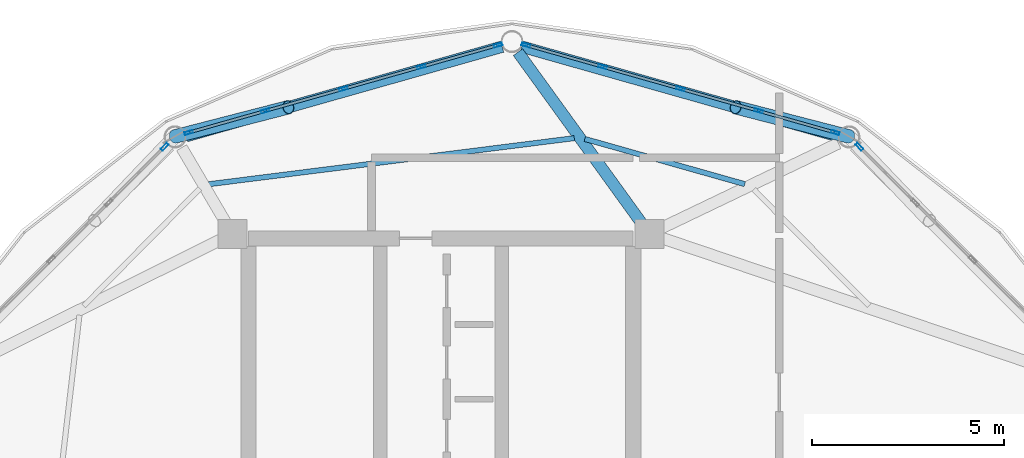
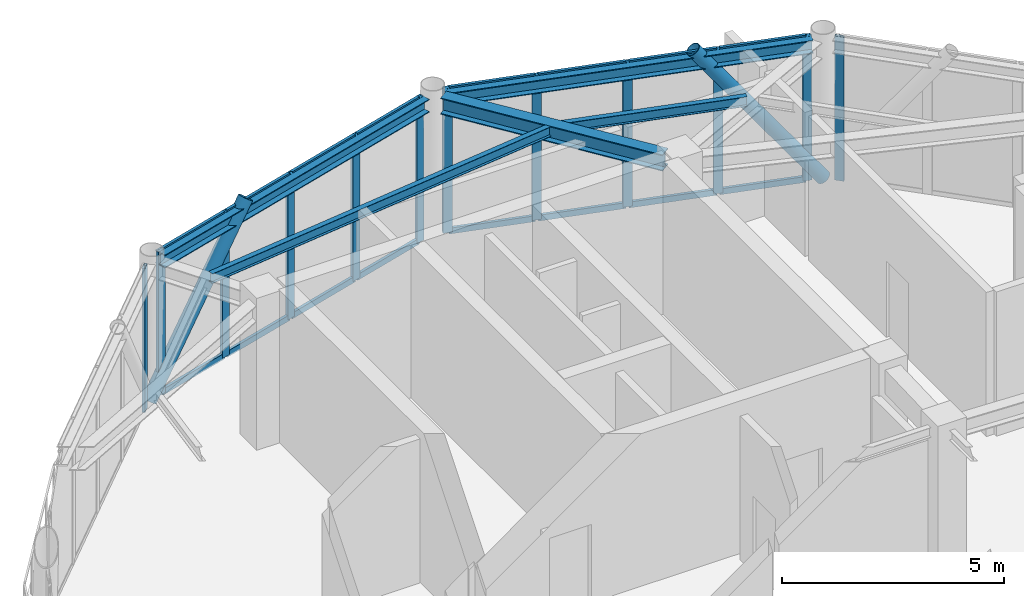
# One storey, part 15 of 21: 30 members, 5 beams, 4 elements without a shape of their own.
"""IFC4 building model written with IfcOpenShell, lengths in metres."""

from ifc_helpers import new_model, si_unit, direction, frame, origin, origin_2d, place, context, subcontext, project, spatial, hollow_rectangle, hollow_circle, i_section, extrude, material, layer, layer_set, material_profile, profile_set, type_object, element, aggregate, save


model = new_model("IFC4")

# Units and contexts
model_context = context("Model", 3, precision=1e-05, world=origin(), true_north=direction((0.0, 1.0)))
body_context = subcontext(model_context, "Body", "Model", "MODEL_VIEW")
ifc_project = project(units=[si_unit("LENGTHUNIT", "METRE"), si_unit("AREAUNIT", "SQUARE_METRE"), si_unit("VOLUMEUNIT", "CUBIC_METRE"), si_unit("PLANEANGLEUNIT", "RADIAN"), si_unit("MASSUNIT", "GRAM", prefix="KILO")], contexts=[model_context])

# Site, building, storey
site_placement = place(None, origin())
site = spatial("IfcSite", under=ifc_project, at=site_placement, CompositionType="ELEMENT")
building_placement = place(site_placement, origin())
building = spatial("IfcBuilding", under=site, at=building_placement, Name="Varnakorn Sky Granary", CompositionType="ELEMENT")
storey_placement = place(building_placement, frame((0.0, 0.0, 294.0)))
storey = spatial("IfcBuildingStorey", under=building, at=storey_placement, Name="L75", CompositionType="ELEMENT", Elevation=294.0)

# Beams
ifc_material_1 = material(Name="Steel S355JR", Category="steel")
ifc_material_profile_1 = material_profile(ifc_material_1, i_section(OverallWidth=0.300048828125, OverallDepth=0.449951171875, WebThickness=0.013916015625, FlangeThickness=0.02587890625, at=origin_2d()), Name="HE 450 B")
ifc_profile_set_1 = profile_set([ifc_material_profile_1], Name="Steel S355JR")
beam_type_1 = type_object("IfcBeamType", Name="BM-RAD-Z5", PredefinedType="BEAM", material=ifc_profile_set_1)
beam_1_placement = place(storey_placement, frame((8.2119140625, 12.90771484375, 3.735107421875), z_axis=(-0.585962768091, 0.810337975422, 0.0), x_axis=(-0.810337975422, -0.585962768091, 0.0)))
element("IfcBeam", 1, at=beam_1_placement, inside=storey, type_object=beam_type_1, Name="Radial Floor Girder RG04 L75", PredefinedType="BEAM", context=body_context, shape_type="SweptSolid", body=[
    extrude(i_section(OverallWidth=0.300048828125, OverallDepth=0.449951171875, WebThickness=0.013916015625, FlangeThickness=0.02587890625, at=origin_2d()), origin(), (0.0, 0.0, 1.0), 5.47314453125),
])
ifc_material_profile_2 = material_profile(ifc_material_1, i_section(OverallWidth=0.135009765625, OverallDepth=0.27001953125, WebThickness=0.006591796875, FlangeThickness=0.01025390625, at=origin_2d()), Name="IPE 270")
ifc_profile_set_2 = profile_set([ifc_material_profile_2], Name="Steel S355JR")
beam_type_2 = type_object("IfcBeamType", Name="BM-SEC-Z5", PredefinedType="BEAM", material=ifc_profile_set_2)
beam_2_placement = place(storey_placement, frame((10.902099609375, 13.91162109375, 3.824951171875), z_axis=(-0.962298153833, 0.271996807203, 0.0), x_axis=(-0.271996807203, -0.962298153833, 0.0)))
element("IfcBeam", 2, at=beam_2_placement, inside=storey, type_object=beam_type_2, Name="Secondary Floor Chord Beam MSB03 L75", PredefinedType="BEAM", context=body_context, shape_type="SweptSolid", body=[
    extrude(i_section(OverallWidth=0.135009765625, OverallDepth=0.27001953125, WebThickness=0.006591796875, FlangeThickness=0.01025390625, at=origin_2d()), origin(), (0.0, 0.0, 1.0), 4.32177734375),
])
beam_3_placement = place(storey_placement, frame((6.469482421875, 15.107666015625, 3.824951171875), z_axis=(-0.992151045947, -0.125045199931, 0.0), x_axis=(0.125045199931, -0.992151045947, 0.0)))
element("IfcBeam", 3, at=beam_3_placement, inside=storey, type_object=beam_type_2, Name="Secondary Floor Chord Beam MSB04 L75", PredefinedType="BEAM", context=body_context, shape_type="SweptSolid", body=[
    extrude(i_section(OverallWidth=0.135009765625, OverallDepth=0.27001953125, WebThickness=0.006591796875, FlangeThickness=0.01025390625, at=origin_2d()), origin(), (0.0, 0.0, 1.0), 9.57470703125),
])
ifc_material_profile_3 = material_profile(ifc_material_1, i_section(OverallWidth=0.300048828125, OverallDepth=0.360107421875, WebThickness=0.012451171875, FlangeThickness=0.0224609375, at=origin_2d()), Name="HE 360 B")
ifc_profile_set_3 = profile_set([ifc_material_profile_3], Name="Steel S355JR")
beam_type_3 = type_object("IfcBeamType", Name="BM-SPD-Z5", PredefinedType="SPANDREL", material=ifc_profile_set_3)
for number, where, z_axis, x_axis, name in (
    (4, (13.3173828125, 15.159912109375, 3.780029296875), (-0.962181719653, 0.272408403626, 0.0), (-0.272408403626, -0.962181719653, 0.0), "Perimeter Spandrel Ring Beam RB03 L75"),
    (5, (4.595458984375, 17.485107421875, 3.780029296875), (-0.962181719653, -0.272408403626, 0.0), (0.272408403626, -0.962181719653, 0.0), "Perimeter Spandrel Ring Beam RB04 L75"),
):
    element("IfcBeam", number, at=place(storey_placement, frame(where, z_axis=z_axis, x_axis=x_axis)), inside=storey, type_object=beam_type_3, Name=name, PredefinedType="SPANDREL", context=body_context, shape_type="SweptSolid", body=[
        extrude(i_section(OverallWidth=0.300048828125, OverallDepth=0.360107421875, WebThickness=0.012451171875, FlangeThickness=0.0224609375, at=origin_2d()), origin(), (0.0, 0.0, 1.0), 8.53564453125),
    ])

# Curtain wall, member
ifc_material_2 = material(Name="Anodised Bronze Aluminium Alloy 6063-T6", Category="aluminium")
ifc_layer = layer(ifc_material_2, 0.22998046875, Name="Anodised Bronze Aluminium Alloy 6063-T6")
ifc_layer_set = layer_set([ifc_layer], Name="Anodised Bronze Aluminium Alloy 6063-T6")
curtain_wall_type = type_object("IfcCurtainWallType", Name="CW-LNT-1", PredefinedType="USERDEFINED", material=ifc_layer_set)
curtain_wall_1_placement = place(storey_placement, origin())
curtain_wall_1 = element("IfcCurtainWall", 6, at=curtain_wall_1_placement, inside=storey, type_object=curtain_wall_type, Name="Unitised Curtain Wall CW7 CW-L75-B02", ObjectType="CURTAIN WALL", PredefinedType="USERDEFINED")
ifc_material_profile_4 = material_profile(ifc_material_2, hollow_rectangle(XDim=0.074951171875, YDim=0.219970703125, WallThickness=0.00390625, at=origin_2d()), Name="ALU MULL 75x220")
ifc_profile_set_4 = profile_set([ifc_material_profile_4], Name="Anodised Bronze Aluminium Alloy 6063-T6")
member_type_1 = type_object("IfcMemberType", Name="CW-LNT-1-MULL", PredefinedType="MULLION", material=ifc_profile_set_4)
member_1_placement = place(storey_placement, frame((13.88134765625, 14.8837890625, 0.0), z_axis=(0.0, 0.0, 1.0), x_axis=(0.706396880071, 0.70781597031, 0.0)))
member_1 = element("IfcMember", 7, at=member_1_placement, type_object=member_type_1, Name="CW7 mullion 1", PredefinedType="MULLION", context=body_context, shape_type="SweptSolid", body=[
    extrude(hollow_rectangle(XDim=0.074951171875, YDim=0.219970703125, WallThickness=0.00390625, at=origin_2d()), origin(), (0.0, 0.0, 1.0), 3.9599609375),
])
aggregate(curtain_wall_1, [member_1])

# Curtain wall, members
curtain_wall_2_placement = place(storey_placement, origin())
curtain_wall_2 = element("IfcCurtainWall", 8, at=curtain_wall_2_placement, inside=storey, type_object=curtain_wall_type, Name="Unitised Curtain Wall CW7 CW-L75-B03", ObjectType="CURTAIN WALL", PredefinedType="USERDEFINED")
member_2_placement = place(storey_placement, frame((5.212890625, 17.5263671875, 0.0), z_axis=(0.0, 0.0, 1.0), x_axis=(0.272147344542, 0.962255591233, 0.0)))
member_2 = element("IfcMember", 9, at=member_2_placement, type_object=member_type_1, Name="CW7 mullion 1", PredefinedType="MULLION", context=body_context, shape_type="SweptSolid", body=[
    extrude(hollow_rectangle(XDim=0.074951171875, YDim=0.219970703125, WallThickness=0.00390625, at=origin_2d()), origin(), (0.0, 0.0, 1.0), 3.9599609375),
])
member_3_placement = place(storey_placement, frame((7.20458984375, 16.963134765625, 0.0), z_axis=(0.0, 0.0, 1.0), x_axis=(0.272147344542, 0.962255591233, 0.0)))
member_3 = element("IfcMember", 10, at=member_3_placement, type_object=member_type_1, Name="CW7 mullion 2", PredefinedType="MULLION", context=body_context, shape_type="SweptSolid", body=[
    extrude(hollow_rectangle(XDim=0.074951171875, YDim=0.219970703125, WallThickness=0.00390625, at=origin_2d()), origin(), (0.0, 0.0, 1.0), 3.9599609375),
])
member_4_placement = place(storey_placement, frame((9.232177734375, 16.3896484375, 0.0), z_axis=(0.0, 0.0, 1.0), x_axis=(0.272147344542, 0.962255591233, 0.0)))
member_4 = element("IfcMember", 11, at=member_4_placement, type_object=member_type_1, Name="CW7 mullion 3", PredefinedType="MULLION", context=body_context, shape_type="SweptSolid", body=[
    extrude(hollow_rectangle(XDim=0.074951171875, YDim=0.219970703125, WallThickness=0.00390625, at=origin_2d()), origin(), (0.0, 0.0, 1.0), 3.9599609375),
])
member_5_placement = place(storey_placement, frame((11.260009765625, 15.816162109375, 0.0), z_axis=(0.0, 0.0, 1.0), x_axis=(0.272147344542, 0.962255591233, 0.0)))
member_5 = element("IfcMember", 12, at=member_5_placement, type_object=member_type_1, Name="CW7 mullion 4", PredefinedType="MULLION", context=body_context, shape_type="SweptSolid", body=[
    extrude(hollow_rectangle(XDim=0.074951171875, YDim=0.219970703125, WallThickness=0.00390625, at=origin_2d()), origin(), (0.0, 0.0, 1.0), 3.9599609375),
])
member_6_placement = place(storey_placement, frame((13.251708984375, 15.252685546875, 0.0), z_axis=(0.0, 0.0, 1.0), x_axis=(0.272147344542, 0.962255591233, 0.0)))
member_6 = element("IfcMember", 13, at=member_6_placement, type_object=member_type_1, Name="CW7 mullion 5", PredefinedType="MULLION", context=body_context, shape_type="SweptSolid", body=[
    extrude(hollow_rectangle(XDim=0.074951171875, YDim=0.219970703125, WallThickness=0.00390625, at=origin_2d()), origin(), (0.0, 0.0, 1.0), 3.9599609375),
])

curtain_wall_3_placement = place(storey_placement, origin())
curtain_wall_3 = element("IfcCurtainWall", 14, at=curtain_wall_3_placement, inside=storey, type_object=curtain_wall_type, Name="Unitised Curtain Wall CW7 CW-L75-B04", ObjectType="CURTAIN WALL", PredefinedType="USERDEFINED")
member_7_placement = place(storey_placement, frame((-3.5517578125, 15.252685546875, 0.0), z_axis=(0.0, 0.0, 1.0), x_axis=(-0.272147344542, 0.962255591233, 0.0)))
member_7 = element("IfcMember", 15, at=member_7_placement, type_object=member_type_1, Name="CW7 mullion 1", PredefinedType="MULLION", context=body_context, shape_type="SweptSolid", body=[
    extrude(hollow_rectangle(XDim=0.074951171875, YDim=0.219970703125, WallThickness=0.00390625, at=origin_2d()), origin(), (0.0, 0.0, 1.0), 3.9599609375),
])
member_8_placement = place(storey_placement, frame((-1.56005859375, 15.816162109375, 0.0), z_axis=(0.0, 0.0, 1.0), x_axis=(-0.272147344542, 0.962255591233, 0.0)))
member_8 = element("IfcMember", 16, at=member_8_placement, type_object=member_type_1, Name="CW7 mullion 2", PredefinedType="MULLION", context=body_context, shape_type="SweptSolid", body=[
    extrude(hollow_rectangle(XDim=0.074951171875, YDim=0.219970703125, WallThickness=0.00390625, at=origin_2d()), origin(), (0.0, 0.0, 1.0), 3.9599609375),
])
member_9_placement = place(storey_placement, frame((0.4677734375, 16.3896484375, 0.0), z_axis=(0.0, 0.0, 1.0), x_axis=(-0.272147344542, 0.962255591233, 0.0)))
member_9 = element("IfcMember", 17, at=member_9_placement, type_object=member_type_1, Name="CW7 mullion 3", PredefinedType="MULLION", context=body_context, shape_type="SweptSolid", body=[
    extrude(hollow_rectangle(XDim=0.074951171875, YDim=0.219970703125, WallThickness=0.00390625, at=origin_2d()), origin(), (0.0, 0.0, 1.0), 3.9599609375),
])
member_10_placement = place(storey_placement, frame((2.49560546875, 16.963134765625, 0.0), z_axis=(0.0, 0.0, 1.0), x_axis=(-0.272147344542, 0.962255591233, 0.0)))
member_10 = element("IfcMember", 18, at=member_10_placement, type_object=member_type_1, Name="CW7 mullion 4", PredefinedType="MULLION", context=body_context, shape_type="SweptSolid", body=[
    extrude(hollow_rectangle(XDim=0.074951171875, YDim=0.219970703125, WallThickness=0.00390625, at=origin_2d()), origin(), (0.0, 0.0, 1.0), 3.9599609375),
])
member_11_placement = place(storey_placement, frame((4.4873046875, 17.5263671875, 0.0), z_axis=(0.0, 0.0, 1.0), x_axis=(-0.272147344542, 0.962255591233, 0.0)))
member_11 = element("IfcMember", 19, at=member_11_placement, type_object=member_type_1, Name="CW7 mullion 5", PredefinedType="MULLION", context=body_context, shape_type="SweptSolid", body=[
    extrude(hollow_rectangle(XDim=0.074951171875, YDim=0.219970703125, WallThickness=0.00390625, at=origin_2d()), origin(), (0.0, 0.0, 1.0), 3.9599609375),
])

# Curtain wall, member
curtain_wall_4_placement = place(storey_placement, origin())
curtain_wall_4 = element("IfcCurtainWall", 20, at=curtain_wall_4_placement, inside=storey, type_object=curtain_wall_type, Name="Unitised Curtain Wall CW7 CW-L75-B05", ObjectType="CURTAIN WALL", PredefinedType="USERDEFINED")
member_12_placement = place(storey_placement, frame((-4.181396484375, 14.8837890625, 0.0), z_axis=(0.0, 0.0, 1.0), x_axis=(-0.706396880071, 0.70781597031, 0.0)))
member_12 = element("IfcMember", 21, at=member_12_placement, type_object=member_type_1, Name="CW7 mullion 5", PredefinedType="MULLION", context=body_context, shape_type="SweptSolid", body=[
    extrude(hollow_rectangle(XDim=0.074951171875, YDim=0.219970703125, WallThickness=0.00390625, at=origin_2d()), origin(), (0.0, 0.0, 1.0), 3.9599609375),
])
aggregate(curtain_wall_4, [member_12])

# Member
ifc_material_profile_5 = material_profile(ifc_material_2, hollow_rectangle(XDim=0.074951171875, YDim=0.159912109375, WallThickness=0.00390625, at=origin_2d()), Name="ALU TRAN 75x160")
ifc_profile_set_5 = profile_set([ifc_material_profile_5], Name="Anodised Bronze Aluminium Alloy 6063-T6")
member_type_2 = type_object("IfcMemberType", Name="CW-LNT-1-TRAN", PredefinedType="USERDEFINED", material=ifc_profile_set_5)
member_13_placement = place(storey_placement, frame((5.248779296875, 17.51611328125, 0.03759765625), z_axis=(0.962282244177, -0.272053087728, 0.0), x_axis=(0.272053087728, 0.962282244177, 0.0)))
member_13 = element("IfcMember", 22, at=member_13_placement, type_object=member_type_2, Name="CW7 transom 1.1", ObjectType="TRANSOM", PredefinedType="USERDEFINED", context=body_context, shape_type="SweptSolid", body=[
    extrude(hollow_rectangle(XDim=0.074951171875, YDim=0.159912109375, WallThickness=0.00390625, at=origin_2d()), origin(), (0.0, 0.0, 1.0), 1.994873046875),
])

member_14_placement = place(storey_placement, frame((5.248779296875, 17.51611328125, 3.922607421875), z_axis=(0.962282244177, -0.272053087728, 0.0), x_axis=(0.272053087728, 0.962282244177, 0.0)))
member_14 = element("IfcMember", 23, at=member_14_placement, type_object=member_type_2, Name="CW7 transom 1.2", ObjectType="TRANSOM", PredefinedType="USERDEFINED", context=body_context, shape_type="SweptSolid", body=[
    extrude(hollow_rectangle(XDim=0.074951171875, YDim=0.159912109375, WallThickness=0.00390625, at=origin_2d()), origin(), (0.0, 0.0, 1.0), 1.994873046875),
])

member_15_placement = place(storey_placement, frame((7.240478515625, 16.952880859375, 0.03759765625), z_axis=(0.962268383835, -0.272102108538, 0.0), x_axis=(0.272102108538, 0.962268383835, 0.0)))
member_15 = element("IfcMember", 24, at=member_15_placement, type_object=member_type_2, Name="CW7 transom 2.1", ObjectType="TRANSOM", PredefinedType="USERDEFINED", context=body_context, shape_type="SweptSolid", body=[
    extrude(hollow_rectangle(XDim=0.074951171875, YDim=0.159912109375, WallThickness=0.00390625, at=origin_2d()), origin(), (0.0, 0.0, 1.0), 2.0322265625),
])

member_16_placement = place(storey_placement, frame((7.240478515625, 16.952880859375, 3.922607421875), z_axis=(0.962268383835, -0.272102108538, 0.0), x_axis=(0.272102108538, 0.962268383835, 0.0)))
member_16 = element("IfcMember", 25, at=member_16_placement, type_object=member_type_2, Name="CW7 transom 2.2", ObjectType="TRANSOM", PredefinedType="USERDEFINED", context=body_context, shape_type="SweptSolid", body=[
    extrude(hollow_rectangle(XDim=0.074951171875, YDim=0.159912109375, WallThickness=0.00390625, at=origin_2d()), origin(), (0.0, 0.0, 1.0), 2.0322265625),
])

member_17_placement = place(storey_placement, frame((9.268310546875, 16.37939453125, 0.03759765625), z_axis=(0.962268383835, -0.272102108538, 0.0), x_axis=(0.272102108538, 0.962268383835, 0.0)))
member_17 = element("IfcMember", 26, at=member_17_placement, type_object=member_type_2, Name="CW7 transom 3.1", ObjectType="TRANSOM", PredefinedType="USERDEFINED", context=body_context, shape_type="SweptSolid", body=[
    extrude(hollow_rectangle(XDim=0.074951171875, YDim=0.159912109375, WallThickness=0.00390625, at=origin_2d()), origin(), (0.0, 0.0, 1.0), 2.0322265625),
])

member_18_placement = place(storey_placement, frame((9.268310546875, 16.37939453125, 3.922607421875), z_axis=(0.962268383835, -0.272102108538, 0.0), x_axis=(0.272102108538, 0.962268383835, 0.0)))
member_18 = element("IfcMember", 27, at=member_18_placement, type_object=member_type_2, Name="CW7 transom 3.2", ObjectType="TRANSOM", PredefinedType="USERDEFINED", context=body_context, shape_type="SweptSolid", body=[
    extrude(hollow_rectangle(XDim=0.074951171875, YDim=0.159912109375, WallThickness=0.00390625, at=origin_2d()), origin(), (0.0, 0.0, 1.0), 2.0322265625),
])

member_19_placement = place(storey_placement, frame((11.296142578125, 15.805908203125, 0.03759765625), z_axis=(0.962241133586, -0.272198458547, 0.0), x_axis=(0.272198458547, 0.962241133586, 0.0)))
member_19 = element("IfcMember", 28, at=member_19_placement, type_object=member_type_2, Name="CW7 transom 4.1", ObjectType="TRANSOM", PredefinedType="USERDEFINED", context=body_context, shape_type="SweptSolid", body=[
    extrude(hollow_rectangle(XDim=0.074951171875, YDim=0.159912109375, WallThickness=0.00390625, at=origin_2d()), origin(), (0.0, 0.0, 1.0), 1.994873046875),
])

member_20_placement = place(storey_placement, frame((11.296142578125, 15.805908203125, 3.922607421875), z_axis=(0.962241133586, -0.272198458547, 0.0), x_axis=(0.272198458547, 0.962241133586, 0.0)))
member_20 = element("IfcMember", 29, at=member_20_placement, type_object=member_type_2, Name="CW7 transom 4.2", ObjectType="TRANSOM", PredefinedType="USERDEFINED", context=body_context, shape_type="SweptSolid", body=[
    extrude(hollow_rectangle(XDim=0.074951171875, YDim=0.159912109375, WallThickness=0.00390625, at=origin_2d()), origin(), (0.0, 0.0, 1.0), 1.994873046875),
])

aggregate(curtain_wall_2, [member_2, member_3, member_4, member_5, member_6, member_13, member_14, member_15, member_16, member_17, member_18, member_19, member_20])

member_21_placement = place(storey_placement, frame((-3.515625, 15.262939453125, 0.03759765625), z_axis=(0.962241133586, 0.272198458547, 0.0), x_axis=(-0.272198458547, 0.962241133586, 0.0)))
member_21 = element("IfcMember", 30, at=member_21_placement, type_object=member_type_2, Name="CW7 transom 1.1", ObjectType="TRANSOM", PredefinedType="USERDEFINED", context=body_context, shape_type="SweptSolid", body=[
    extrude(hollow_rectangle(XDim=0.074951171875, YDim=0.159912109375, WallThickness=0.00390625, at=origin_2d()), origin(), (0.0, 0.0, 1.0), 1.994873046875),
])

member_22_placement = place(storey_placement, frame((-3.515625, 15.262939453125, 3.922607421875), z_axis=(0.962241133586, 0.272198458547, 0.0), x_axis=(-0.272198458547, 0.962241133586, 0.0)))
member_22 = element("IfcMember", 31, at=member_22_placement, type_object=member_type_2, Name="CW7 transom 1.2", ObjectType="TRANSOM", PredefinedType="USERDEFINED", context=body_context, shape_type="SweptSolid", body=[
    extrude(hollow_rectangle(XDim=0.074951171875, YDim=0.159912109375, WallThickness=0.00390625, at=origin_2d()), origin(), (0.0, 0.0, 1.0), 1.994873046875),
])

member_23_placement = place(storey_placement, frame((-1.52392578125, 15.826416015625, 0.03759765625), z_axis=(0.962268383835, 0.272102108538, 0.0), x_axis=(-0.272102108538, 0.962268383835, 0.0)))
member_23 = element("IfcMember", 32, at=member_23_placement, type_object=member_type_2, Name="CW7 transom 2.1", ObjectType="TRANSOM", PredefinedType="USERDEFINED", context=body_context, shape_type="SweptSolid", body=[
    extrude(hollow_rectangle(XDim=0.074951171875, YDim=0.159912109375, WallThickness=0.00390625, at=origin_2d()), origin(), (0.0, 0.0, 1.0), 2.0322265625),
])

member_24_placement = place(storey_placement, frame((-1.52392578125, 15.826416015625, 3.922607421875), z_axis=(0.962268383835, 0.272102108538, 0.0), x_axis=(-0.272102108538, 0.962268383835, 0.0)))
member_24 = element("IfcMember", 33, at=member_24_placement, type_object=member_type_2, Name="CW7 transom 2.2", ObjectType="TRANSOM", PredefinedType="USERDEFINED", context=body_context, shape_type="SweptSolid", body=[
    extrude(hollow_rectangle(XDim=0.074951171875, YDim=0.159912109375, WallThickness=0.00390625, at=origin_2d()), origin(), (0.0, 0.0, 1.0), 2.0322265625),
])

member_25_placement = place(storey_placement, frame((0.50390625, 16.39990234375, 0.03759765625), z_axis=(0.962268383835, 0.272102108538, 0.0), x_axis=(-0.272102108538, 0.962268383835, 0.0)))
member_25 = element("IfcMember", 34, at=member_25_placement, type_object=member_type_2, Name="CW7 transom 3.1", ObjectType="TRANSOM", PredefinedType="USERDEFINED", context=body_context, shape_type="SweptSolid", body=[
    extrude(hollow_rectangle(XDim=0.074951171875, YDim=0.159912109375, WallThickness=0.00390625, at=origin_2d()), origin(), (0.0, 0.0, 1.0), 2.0322265625),
])

member_26_placement = place(storey_placement, frame((0.50390625, 16.39990234375, 3.922607421875), z_axis=(0.962268383835, 0.272102108538, 0.0), x_axis=(-0.272102108538, 0.962268383835, 0.0)))
member_26 = element("IfcMember", 35, at=member_26_placement, type_object=member_type_2, Name="CW7 transom 3.2", ObjectType="TRANSOM", PredefinedType="USERDEFINED", context=body_context, shape_type="SweptSolid", body=[
    extrude(hollow_rectangle(XDim=0.074951171875, YDim=0.159912109375, WallThickness=0.00390625, at=origin_2d()), origin(), (0.0, 0.0, 1.0), 2.0322265625),
])

member_27_placement = place(storey_placement, frame((2.531494140625, 16.973388671875, 0.03759765625), z_axis=(0.962282244177, 0.272053087728, 0.0), x_axis=(-0.272053087728, 0.962282244177, 0.0)))
member_27 = element("IfcMember", 36, at=member_27_placement, type_object=member_type_2, Name="CW7 transom 4.1", ObjectType="TRANSOM", PredefinedType="USERDEFINED", context=body_context, shape_type="SweptSolid", body=[
    extrude(hollow_rectangle(XDim=0.074951171875, YDim=0.159912109375, WallThickness=0.00390625, at=origin_2d()), origin(), (0.0, 0.0, 1.0), 1.994873046875),
])

member_28_placement = place(storey_placement, frame((2.531494140625, 16.973388671875, 3.922607421875), z_axis=(0.962282244177, 0.272053087728, 0.0), x_axis=(-0.272053087728, 0.962282244177, 0.0)))
member_28 = element("IfcMember", 37, at=member_28_placement, type_object=member_type_2, Name="CW7 transom 4.2", ObjectType="TRANSOM", PredefinedType="USERDEFINED", context=body_context, shape_type="SweptSolid", body=[
    extrude(hollow_rectangle(XDim=0.074951171875, YDim=0.159912109375, WallThickness=0.00390625, at=origin_2d()), origin(), (0.0, 0.0, 1.0), 1.994873046875),
])

aggregate(curtain_wall_3, [member_7, member_8, member_9, member_10, member_11, member_21, member_22, member_23, member_24, member_25, member_26, member_27, member_28])

# Members
ifc_material_3 = material(Name="Steel S460M", Category="steel")
ifc_material_profile_6 = material_profile(ifc_material_3, hollow_circle(Radius=0.177734375, WallThickness=0.01416015625, at=origin_2d()), Name="CHS 355.6x14")
ifc_profile_set_6 = profile_set([ifc_material_profile_6], Name="Steel S460M")
member_type_3 = type_object("IfcMemberType", Name="MB-DIAG-T5", PredefinedType="BRACE", material=ifc_profile_set_6)
member_29_placement = place(storey_placement, frame((13.614501953125, 15.150146484375, 0.0), z_axis=(-0.578392616249, 0.149169954663, 0.80200393147), x_axis=(-0.249732581906, -0.968314844219, 0.0)))
element("IfcMember", 38, at=member_29_placement, inside=storey, type_object=member_type_3, Name="Perimeter CHS Diagrid Brace DG03 L75", PredefinedType="BRACE", context=body_context, shape_type="SweptSolid", body=[
    extrude(hollow_circle(Radius=0.177734375, WallThickness=0.01416015625, at=origin_2d()), origin(), (0.0, 0.0, 1.0), 5.099853515625),
])
member_30_placement = place(storey_placement, frame((-3.91455078125, 15.150146484375, 0.0), z_axis=(0.578424472094, 0.149165824302, 0.801981724819), x_axis=(-0.249713202655, 0.968319842004, 0.0)))
element("IfcMember", 39, at=member_30_placement, inside=storey, type_object=member_type_3, Name="Perimeter CHS Diagrid Brace DG04 L75", PredefinedType="BRACE", context=body_context, shape_type="SweptSolid", body=[
    extrude(hollow_circle(Radius=0.177734375, WallThickness=0.01416015625, at=origin_2d()), origin(), (0.0, 0.0, 1.0), 5.10009765625),
])

save(model, "model.ifc")
